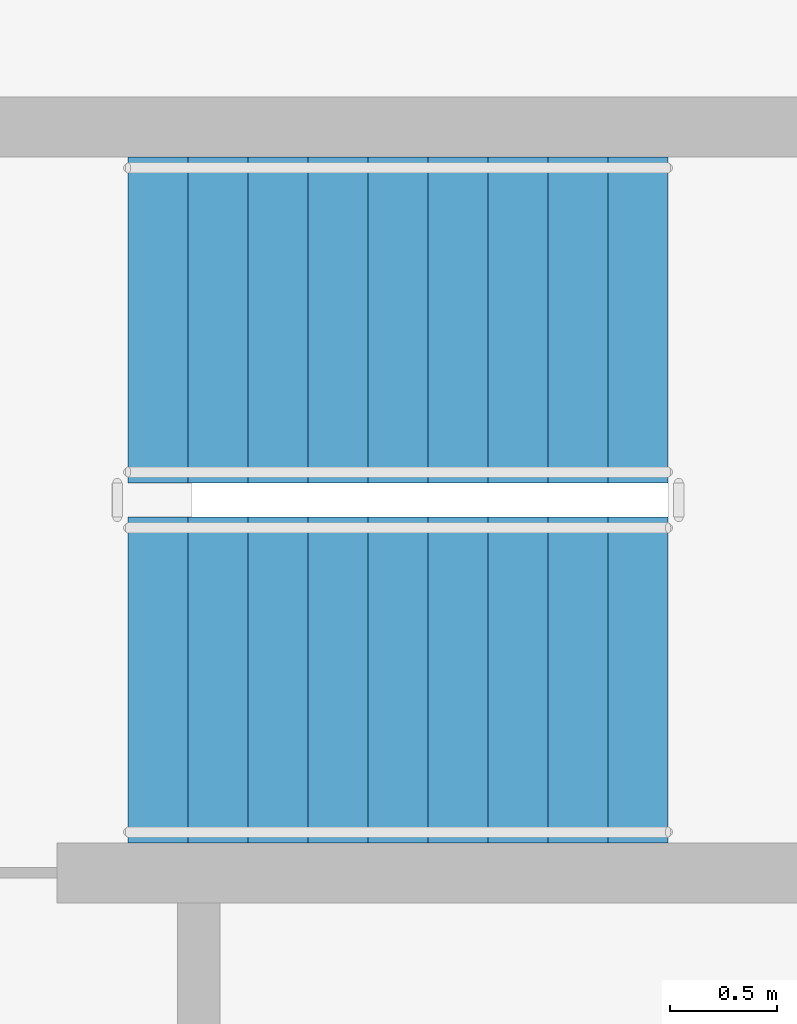
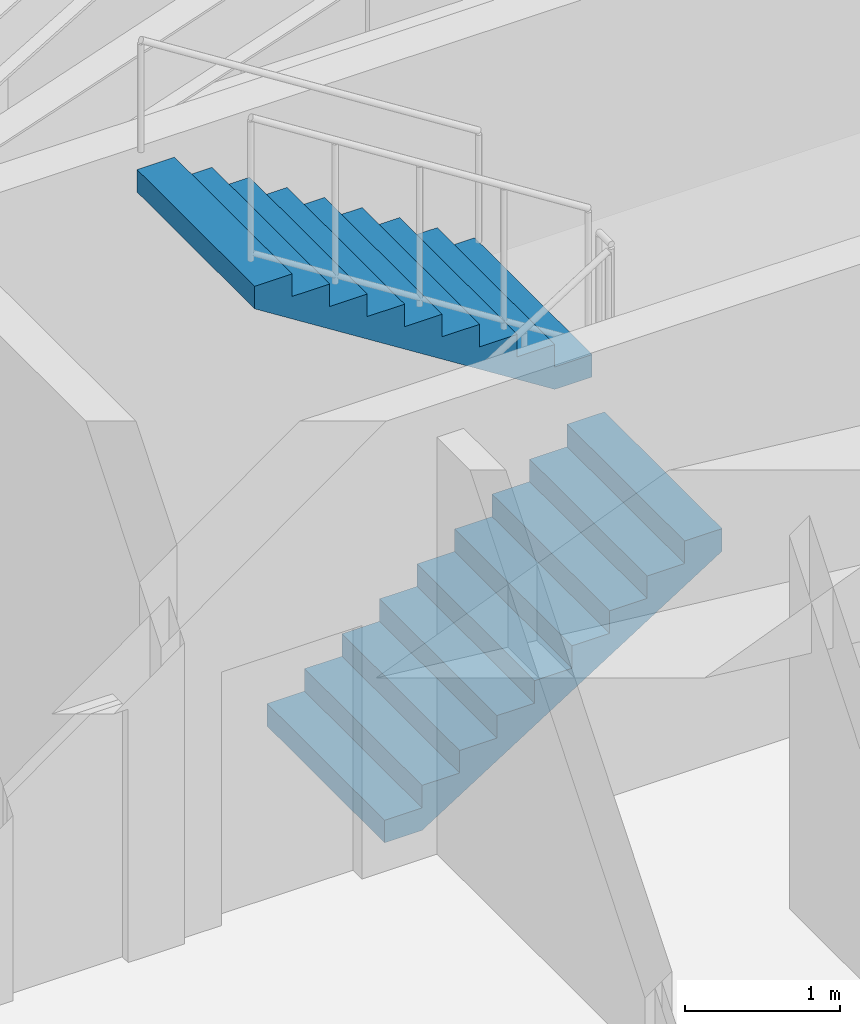
# One storey, part 6 of 8: 2 stair flights, 1 element without a shape of its own.
"""IFC4 building model written with IfcOpenShell, lengths in metres."""

from ifc_helpers import new_model, si_unit, direction, frame, origin, place, context, subcontext, project, spatial, polyline, outline, extrude, material, type_object, element, aggregate, save


model = new_model("IFC4")

# Units and contexts
model_context = context("Model", 3, precision=1e-05, world=origin(), true_north=direction((0.0, 1.0)))
body_context = subcontext(model_context, "Body", "Model", "MODEL_VIEW")
ifc_project = project(units=[si_unit("LENGTHUNIT", "METRE"), si_unit("AREAUNIT", "SQUARE_METRE"), si_unit("VOLUMEUNIT", "CUBIC_METRE"), si_unit("PLANEANGLEUNIT", "RADIAN"), si_unit("MASSUNIT", "GRAM", prefix="KILO"), si_unit("THERMODYNAMICTEMPERATUREUNIT", "KELVIN"), si_unit("POWERUNIT", "WATT")], contexts=[model_context])

# Site, building, storey
site_placement = place(None, origin())
site = spatial("IfcSite", under=ifc_project, at=site_placement, CompositionType="ELEMENT")
building_placement = place(site_placement, origin())
building = spatial("IfcBuilding", under=site, at=building_placement, Name="Skarre Station Tower", CompositionType="ELEMENT")
storey_placement = place(building_placement, frame((0.0, 0.0, 245.449951171875)))
storey = spatial("IfcBuildingStorey", under=building, at=storey_placement, Name="L67", CompositionType="ELEMENT", Elevation=245.449951171875)

# Stair, stair flights
ifc_material = material(Name="Concrete C40/50", Category="concrete")
stair_type = type_object("IfcStairType", Name="Reinforced Concrete Exit Stair ST-3", PredefinedType="HALF_TURN_STAIR", material=ifc_material)
stair_placement = place(storey_placement, origin())
stair = element("IfcStair", 1, at=stair_placement, inside=storey, type_object=stair_type, Name="L67 Core Exit Stair ST-3", PredefinedType="HALF_TURN_STAIR")
stair_flight_type = type_object("IfcStairFlightType", Name="Reinforced Concrete Stair Flight ST-3", PredefinedType="STRAIGHT", material=ifc_material)
stair_flight_1_placement = place(storey_placement, frame((23.35009765625, 32.260009765625, 0.0), z_axis=(0.0, 0.0, 1.0), x_axis=(1.0, 0.0, 0.0)))
stair_flight_1 = element("IfcStairFlight", 2, at=stair_flight_1_placement, type_object=stair_flight_type, Name="ST-3 flight 1", NumberOfRisers=10, NumberOfTreads=9, PredefinedType="STRAIGHT", RiserHeight=0.1775, TreadLength=0.28, context=body_context, shape_type="SweptSolid", body=[
    extrude(outline(polyline([(0.0, 0.0), (0.0, 0.177490234375), (0.280029296875, 0.177490234375), (0.280029296875, 0.35498046875), (0.56005859375, 0.35498046875), (0.56005859375, 0.532470703125), (0.840087890625, 0.532470703125), (0.840087890625, 0.7099609375), (1.1201171875, 0.7099609375), (1.1201171875, 0.887451171875), (1.39990234375, 0.887451171875), (1.39990234375, 1.06494140625), (1.679931640625, 1.06494140625), (1.679931640625, 1.242431640625), (1.9599609375, 1.242431640625), (1.9599609375, 1.419921875), (2.239990234375, 1.419921875), (2.239990234375, 1.597412109375), (2.52001953125, 1.597412109375), (2.52001953125, 1.77490234375), (2.52001953125, 1.419921875), (0.280029296875, 0.0), (0.0, 0.0)])), frame((0.0, 0.760009765625, 0.0), z_axis=(0.0, -1.0, 0.0), x_axis=(1.0, 0.0, 0.0)), (0.0, 0.0, 1.0), 1.52001953125),
])
stair_flight_2_placement = place(storey_placement, frame((25.8701171875, 33.93994140625, 1.775146484375), z_axis=(0.0, 0.0, 1.0), x_axis=(-1.0, 0.0, 0.0)))
stair_flight_2 = element("IfcStairFlight", 3, at=stair_flight_2_placement, type_object=stair_flight_type, Name="ST-3 flight 2", NumberOfRisers=10, NumberOfTreads=9, PredefinedType="STRAIGHT", RiserHeight=0.1775, TreadLength=0.28, context=body_context, shape_type="SweptSolid", body=[
    extrude(outline(polyline([(0.0, 0.0), (0.0, 0.177490234375), (0.280029296875, 0.177490234375), (0.280029296875, 0.35498046875), (0.56005859375, 0.35498046875), (0.56005859375, 0.532470703125), (0.840087890625, 0.532470703125), (0.840087890625, 0.7099609375), (1.1201171875, 0.7099609375), (1.1201171875, 0.887451171875), (1.39990234375, 0.887451171875), (1.39990234375, 1.06494140625), (1.679931640625, 1.06494140625), (1.679931640625, 1.242431640625), (1.9599609375, 1.242431640625), (1.9599609375, 1.419921875), (2.239990234375, 1.419921875), (2.239990234375, 1.597412109375), (2.52001953125, 1.597412109375), (2.52001953125, 1.77490234375), (2.52001953125, 1.419921875), (0.280029296875, 0.0), (0.0, 0.0)])), frame((0.0, 0.760009765625, 0.0), z_axis=(0.0, -1.0, 0.0), x_axis=(1.0, 0.0, 0.0)), (0.0, 0.0, 1.0), 1.52001953125),
])
aggregate(stair, [stair_flight_1, stair_flight_2])

save(model, "model.ifc")
